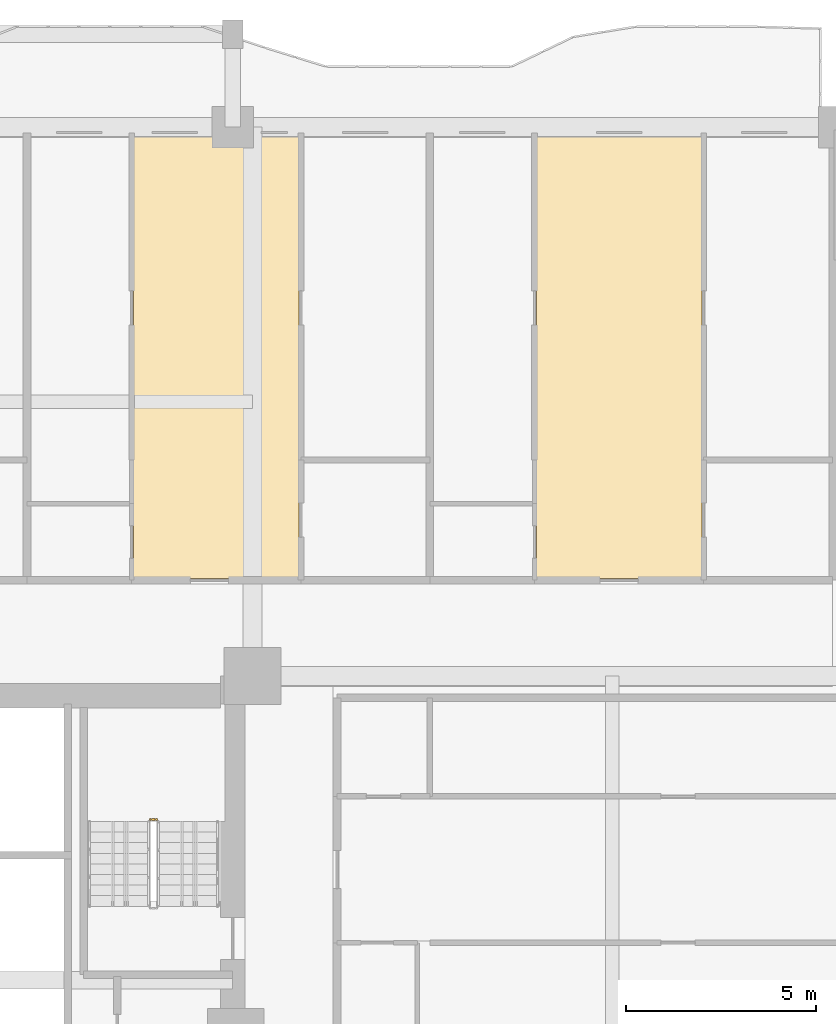
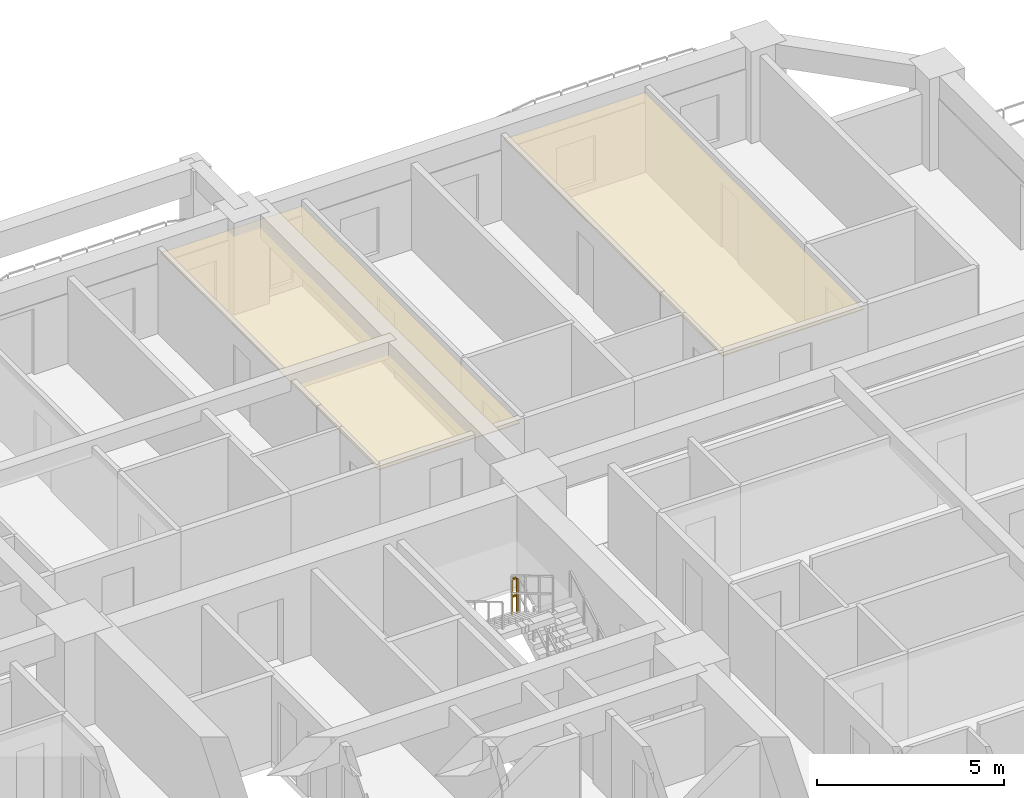
# One storey, part 16 of 16: 2 coverings, 1 railing.
"""IFC4 building model written with IfcOpenShell, lengths in metres."""

from ifc_helpers import new_model, si_unit, direction, frame, origin, origin_2d, place, context, subcontext, project, spatial, polyline, rectangle, outline, extrude, material, layer, layer_set, type_object, element, save


model = new_model("IFC4")

# Units and contexts
model_context = context("Model", 3, precision=1e-05, world=origin(), true_north=direction((0.0, 1.0)))
body_context = subcontext(model_context, "Body", "Model", "MODEL_VIEW")
ifc_project = project(units=[si_unit("LENGTHUNIT", "METRE"), si_unit("AREAUNIT", "SQUARE_METRE"), si_unit("VOLUMEUNIT", "CUBIC_METRE"), si_unit("PLANEANGLEUNIT", "RADIAN"), si_unit("MASSUNIT", "GRAM", prefix="KILO")], contexts=[model_context])

# Site, building, storey
site_placement = place(None, origin())
site = spatial("IfcSite", under=ifc_project, at=site_placement, CompositionType="ELEMENT")
building_placement = place(site_placement, origin())
building = spatial("IfcBuilding", under=site, at=building_placement, Name="Saelheon Loggia Tower", CompositionType="ELEMENT")
storey_placement = place(building_placement, frame((0.0, 0.0, 31.39990234375)))
storey = spatial("IfcBuildingStorey", under=building, at=storey_placement, Name="L09", CompositionType="ELEMENT", Elevation=31.39990234375)

# Coverings
ifc_material_1 = material(Name="Mineral-Fibre Acoustic Ceiling Board", Category="gypsum")
ifc_layer = layer(ifc_material_1, 0.02490234375)
ifc_layer_set = layer_set([ifc_layer], Name="Mineral-Fibre Acoustic Ceiling Board")
covering_type = type_object("IfcCoveringType", Name="Cov_Ceiling_Acoustic", PredefinedType="CEILING", material=ifc_layer_set)
covering_1_placement = place(storey_placement, frame((0.0, 0.0, 2.53515625)))
element("IfcCovering", 1, at=covering_1_placement, inside=storey, type_object=covering_type, Name="L09 Acoustic Suspended Ceiling", PredefinedType="CEILING", context=body_context, shape_type="SweptSolid", body=[
    extrude(outline(polyline([(41.88671875, 39.10009765625), (46.248291015625, 39.10009765625), (46.248291015625, 50.800048828125), (41.88671875, 50.800048828125), (41.88671875, 39.10009765625)])), origin(), (0.0, 0.0, 1.0), 0.02490234375),
])
covering_2_placement = place(storey_placement, frame((0.0, 0.0, 2.53515625)))
element("IfcCovering", 2, at=covering_2_placement, inside=storey, type_object=covering_type, Name="L09 Acoustic Suspended Ceiling", PredefinedType="CEILING", context=body_context, shape_type="SweptSolid", body=[
    extrude(outline(polyline([(52.509521484375, 39.10009765625), (56.870849609375, 39.10009765625), (56.870849609375, 50.800048828125), (52.509521484375, 50.800048828125), (52.509521484375, 39.10009765625)])), origin(), (0.0, 0.0, 1.0), 0.02490234375),
])

# Railing
ifc_material_2 = material(Name="Galvanised Steel S275 Stairwell Guardrail", Category="steel")
railing_type = type_object("IfcRailingType", Name="Guard_StairWell_RL_STG", PredefinedType="GUARDRAIL", material=ifc_material_2)
railing_placement = place(storey_placement, frame((42.489990234375, 32.739990234375, 1.5)))
element("IfcRailing", 3, at=railing_placement, inside=storey, type_object=railing_type, Name="L09 ST2 stair guard 2", PredefinedType="GUARDRAIL", context=body_context, shape_type="SweptSolid", body=[
    extrude(rectangle(XDim=0.048095703125, YDim=0.048095703125, at=origin_2d()), frame((-0.033203125, 0.0, 1.17578125), z_axis=(-1.0, 0.0, 0.0), x_axis=(0.0, -1.0, 0.0)), (0.0, 0.0, 1.0), 0.093505859375),
    extrude(rectangle(XDim=0.048095703125, YDim=0.048095703125, at=origin_2d()), frame((-0.033203125, 0.0, 0.60009765625), z_axis=(-1.0, 0.0, 0.0), x_axis=(0.0, -1.0, 0.0)), (0.0, 0.0, 1.0), 0.093505859375),
    extrude(rectangle(XDim=0.0419921875, YDim=0.0419921875, at=origin_2d()), origin(), (0.0, 0.0, 1.0), 1.14794921875),
    extrude(rectangle(XDim=0.0419921875, YDim=0.0419921875, at=origin_2d()), frame((-0.159912109375, 0.0, 0.0)), (0.0, 0.0, 1.0), 1.14794921875),
])

save(model, "model.ifc")
